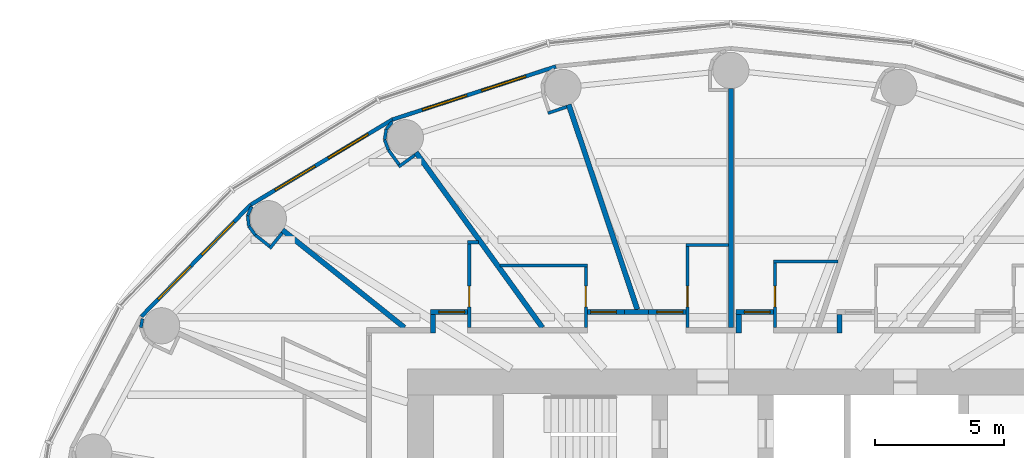
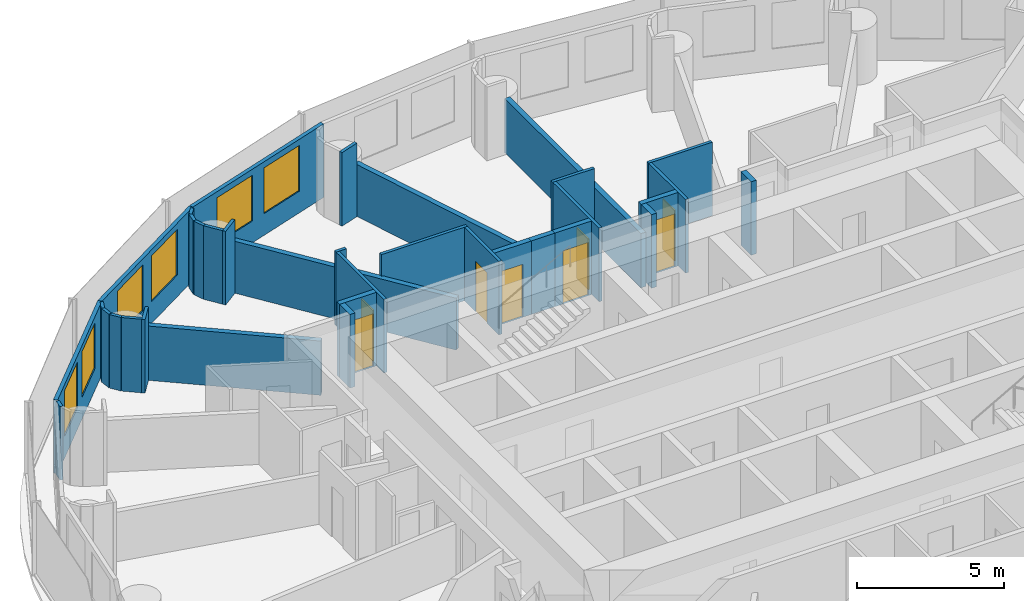
# One storey, part 11 of 14: 35 walls, 8 doors, 6 windows, 14 openings.
"""IFC4 building model written with IfcOpenShell, lengths in metres."""

from ifc_helpers import new_model, si_unit, direction, frame, frame_2d, origin, place, context, subcontext, project, spatial, rectangle, extrude, material, layer, layer_set, type_object, element, fill, save


model = new_model("IFC4")

# Units and contexts
model_context = context("Model", 3, precision=1e-05, world=origin(), true_north=direction((0.0, 1.0)))
body_context = subcontext(model_context, "Body", "Model", "MODEL_VIEW")
ifc_project = project(units=[si_unit("LENGTHUNIT", "METRE"), si_unit("AREAUNIT", "SQUARE_METRE"), si_unit("VOLUMEUNIT", "CUBIC_METRE"), si_unit("PLANEANGLEUNIT", "RADIAN"), si_unit("MASSUNIT", "GRAM", prefix="KILO")], contexts=[model_context])

# Site, building, storey
site_placement = place(None, origin())
site = spatial("IfcSite", under=ifc_project, at=site_placement, CompositionType="ELEMENT")
building_placement = place(site_placement, origin())
building = spatial("IfcBuilding", under=site, at=building_placement, Name="Hankou Lantern Tower", CompositionType="ELEMENT")
storey_placement = place(building_placement, frame((0.0, 0.0, 90.300048828125)))
storey = spatial("IfcBuildingStorey", under=building, at=storey_placement, Name="L23", CompositionType="ELEMENT", Elevation=90.300048828125)

# Wall, openings, windows
ifc_material_1 = material(Name="Aluminium spandrel panel on steel studs", Category="steel")
ifc_layer_1 = layer(ifc_material_1, 0.14990234375)
ifc_layer_set_1 = layer_set([ifc_layer_1], Name="Aluminium spandrel panel on steel studs")
wall_type_1 = type_object("IfcWallType", Name="EW1 INNER SKIN WALL 150", PredefinedType="ELEMENTEDWALL", material=ifc_layer_set_1)
wall_1_placement = place(storey_placement, frame((-6.766357421875, 20.201904296875, 0.0), z_axis=(0.0, 0.0, 1.0), x_axis=(-0.951137534625, -0.308767534285, 0.0)))
wall_1 = element("IfcWall", 1, at=wall_1_placement, inside=storey, type_object=wall_type_1, Name="Inner skin R08-R09 L23", PredefinedType="ELEMENTEDWALL", context=body_context, shape_type="SweptSolid", body=[
    extrude(rectangle(XDim=6.6552734375, YDim=0.14990234375, at=frame_2d((3.32763671875, 0.0))), origin(), (0.0, 0.0, 1.0), 3.050048828125),
])
opening_1_placement = place(wall_1_placement, frame((1.2275390625, 0.0, 0.89990234375)))
opening_1 = element("IfcOpeningElement", 2, at=opening_1_placement, cuts=wall_1, Name="Opening W1", PredefinedType="OPENING", context=body_context, shape_type="SweptSolid", body=[
    extrude(rectangle(XDim=1.800048828125, YDim=1.89990234375, at=frame_2d((0.89990234375, 0.949951171875))), frame((0.0, 0.0849609375, 0.0), z_axis=(0.0, -1.0, 0.0), x_axis=(1.0, 0.0, 0.0)), (0.0, 0.0, 1.0), 0.169921875),
])
opening_2_placement = place(wall_1_placement, frame((3.627685546875, 0.0, 0.89990234375)))
opening_2 = element("IfcOpeningElement", 3, at=opening_2_placement, cuts=wall_1, Name="Opening W1", PredefinedType="OPENING", context=body_context, shape_type="SweptSolid", body=[
    extrude(rectangle(XDim=1.800048828125, YDim=1.89990234375, at=frame_2d((0.89990234375, 0.949951171875))), frame((0.0, 0.0849609375, 0.0), z_axis=(0.0, -1.0, 0.0), x_axis=(1.0, 0.0, 0.0)), (0.0, 0.0, 1.0), 0.169921875),
])
ifc_material_2 = material(Name="Aluminium framed double glazed window", Category="aluminium")
window_type = type_object("IfcWindowType", Name="W1 GUEST ROOM WINDOW 1800X1900", PartitioningType="DOUBLE_PANEL_VERTICAL", PredefinedType="WINDOW", material=ifc_material_2)
window_1_placement = place(opening_1_placement, origin())
window_1 = element("IfcWindow", 4, at=window_1_placement, inside=storey, type_object=window_type, Name="Window R08.1 L23", OverallHeight=1.89990234375, OverallWidth=1.800048828125, PartitioningType="SINGLE_PANEL", PredefinedType="WINDOW", context=body_context, shape_type="SweptSolid", body=[
    extrude(rectangle(XDim=1.800048828125, YDim=1.89990234375, at=frame_2d((0.89990234375, 0.949951171875))), frame((0.0, 0.030029296875, 0.0), z_axis=(0.0, -1.0, 0.0), x_axis=(1.0, 0.0, 0.0)), (0.0, 0.0, 1.0), 0.06005859375),
])
fill(opening_1, window_1)
window_2_placement = place(opening_2_placement, origin())
window_2 = element("IfcWindow", 5, at=window_2_placement, inside=storey, type_object=window_type, Name="Window R08.2 L23", OverallHeight=1.89990234375, OverallWidth=1.800048828125, PartitioningType="SINGLE_PANEL", PredefinedType="WINDOW", context=body_context, shape_type="SweptSolid", body=[
    extrude(rectangle(XDim=1.800048828125, YDim=1.89990234375, at=frame_2d((0.89990234375, 0.949951171875))), frame((0.0, 0.030029296875, 0.0), z_axis=(0.0, -1.0, 0.0), x_axis=(1.0, 0.0, 0.0)), (0.0, 0.0, 1.0), 0.06005859375),
])
fill(opening_2, window_2)

wall_2_placement = place(storey_placement, frame((-13.096435546875, 18.14697265625, 0.0), z_axis=(0.0, 0.0, 1.0), x_axis=(-0.856983180864, -0.515344377787, 0.0)))
wall_2 = element("IfcWall", 6, at=wall_2_placement, inside=storey, type_object=wall_type_1, Name="Inner skin R09-R10 L23", PredefinedType="ELEMENTEDWALL", context=body_context, shape_type="SweptSolid", body=[
    extrude(rectangle(XDim=6.386474609375, YDim=0.14990234375, at=frame_2d((3.193359375, 0.0))), origin(), (0.0, 0.0, 1.0), 3.050048828125),
])
opening_3_placement = place(wall_2_placement, frame((1.09326171875, 0.0, 0.89990234375)))
opening_3 = element("IfcOpeningElement", 7, at=opening_3_placement, cuts=wall_2, Name="Opening W1", PredefinedType="OPENING", context=body_context, shape_type="SweptSolid", body=[
    extrude(rectangle(XDim=1.800048828125, YDim=1.89990234375, at=frame_2d((0.89990234375, 0.949951171875))), frame((0.0, 0.0849609375, 0.0), z_axis=(0.0, -1.0, 0.0), x_axis=(1.0, 0.0, 0.0)), (0.0, 0.0, 1.0), 0.169921875),
])
opening_4_placement = place(wall_2_placement, frame((3.4931640625, 0.0, 0.89990234375)))
opening_4 = element("IfcOpeningElement", 8, at=opening_4_placement, cuts=wall_2, Name="Opening W1", PredefinedType="OPENING", context=body_context, shape_type="SweptSolid", body=[
    extrude(rectangle(XDim=1.800048828125, YDim=1.89990234375, at=frame_2d((0.89990234375, 0.949951171875))), frame((0.0, 0.0849609375, 0.0), z_axis=(0.0, -1.0, 0.0), x_axis=(1.0, 0.0, 0.0)), (0.0, 0.0, 1.0), 0.169921875),
])
window_3_placement = place(opening_3_placement, origin())
window_3 = element("IfcWindow", 9, at=window_3_placement, inside=storey, type_object=window_type, Name="Window R09.1 L23", OverallHeight=1.89990234375, OverallWidth=1.800048828125, PartitioningType="SINGLE_PANEL", PredefinedType="WINDOW", context=body_context, shape_type="SweptSolid", body=[
    extrude(rectangle(XDim=1.800048828125, YDim=1.89990234375, at=frame_2d((0.89990234375, 0.949951171875))), frame((0.0, 0.030029296875, 0.0), z_axis=(0.0, -1.0, 0.0), x_axis=(1.0, 0.0, 0.0)), (0.0, 0.0, 1.0), 0.06005859375),
])
fill(opening_3, window_3)
window_4_placement = place(opening_4_placement, origin())
window_4 = element("IfcWindow", 10, at=window_4_placement, inside=storey, type_object=window_type, Name="Window R09.2 L23", OverallHeight=1.89990234375, OverallWidth=1.800048828125, PartitioningType="SINGLE_PANEL", PredefinedType="WINDOW", context=body_context, shape_type="SweptSolid", body=[
    extrude(rectangle(XDim=1.800048828125, YDim=1.89990234375, at=frame_2d((0.89990234375, 0.949951171875))), frame((0.0, 0.030029296875, 0.0), z_axis=(0.0, -1.0, 0.0), x_axis=(1.0, 0.0, 0.0)), (0.0, 0.0, 1.0), 0.06005859375),
])
fill(opening_4, window_4)

wall_3_placement = place(storey_placement, frame((-18.569580078125, 14.855712890625, 0.0), z_axis=(0.0, 0.0, 1.0), x_axis=(-0.699602905915, -0.714531856557, 0.0)))
wall_3 = element("IfcWall", 11, at=wall_3_placement, inside=storey, type_object=wall_type_1, Name="Inner skin R10-R11 L23", PredefinedType="ELEMENTEDWALL", context=body_context, shape_type="SweptSolid", body=[
    extrude(rectangle(XDim=6.05078125, YDim=0.14990234375, at=frame_2d((3.025390625, 0.0))), origin(), (0.0, 0.0, 1.0), 3.050048828125),
])
opening_5_placement = place(wall_3_placement, frame((0.925537109375, 0.0, 0.89990234375)))
opening_5 = element("IfcOpeningElement", 12, at=opening_5_placement, cuts=wall_3, Name="Opening W1", PredefinedType="OPENING", context=body_context, shape_type="SweptSolid", body=[
    extrude(rectangle(XDim=1.800048828125, YDim=1.89990234375, at=frame_2d((0.89990234375, 0.949951171875))), frame((0.0, 0.0849609375, 0.0), z_axis=(0.0, -1.0, 0.0), x_axis=(1.0, 0.0, 0.0)), (0.0, 0.0, 1.0), 0.169921875),
])
opening_6_placement = place(wall_3_placement, frame((3.325439453125, 0.0, 0.89990234375)))
opening_6 = element("IfcOpeningElement", 13, at=opening_6_placement, cuts=wall_3, Name="Opening W1", PredefinedType="OPENING", context=body_context, shape_type="SweptSolid", body=[
    extrude(rectangle(XDim=1.800048828125, YDim=1.89990234375, at=frame_2d((0.89990234375, 0.949951171875))), frame((0.0, 0.0849609375, 0.0), z_axis=(0.0, -1.0, 0.0), x_axis=(1.0, 0.0, 0.0)), (0.0, 0.0, 1.0), 0.169921875),
])
window_5_placement = place(opening_5_placement, origin())
window_5 = element("IfcWindow", 14, at=window_5_placement, inside=storey, type_object=window_type, Name="Window R10.1 L23", OverallHeight=1.89990234375, OverallWidth=1.800048828125, PartitioningType="SINGLE_PANEL", PredefinedType="WINDOW", context=body_context, shape_type="SweptSolid", body=[
    extrude(rectangle(XDim=1.800048828125, YDim=1.89990234375, at=frame_2d((0.89990234375, 0.949951171875))), frame((0.0, 0.030029296875, 0.0), z_axis=(0.0, -1.0, 0.0), x_axis=(1.0, 0.0, 0.0)), (0.0, 0.0, 1.0), 0.06005859375),
])
fill(opening_5, window_5)
window_6_placement = place(opening_6_placement, origin())
window_6 = element("IfcWindow", 15, at=window_6_placement, inside=storey, type_object=window_type, Name="Window R10.2 L23", OverallHeight=1.89990234375, OverallWidth=1.800048828125, PartitioningType="SINGLE_PANEL", PredefinedType="WINDOW", context=body_context, shape_type="SweptSolid", body=[
    extrude(rectangle(XDim=1.800048828125, YDim=1.89990234375, at=frame_2d((0.89990234375, 0.949951171875))), frame((0.0, 0.030029296875, 0.0), z_axis=(0.0, -1.0, 0.0), x_axis=(1.0, 0.0, 0.0)), (0.0, 0.0, 1.0), 0.06005859375),
])
fill(opening_6, window_6)

# Walls
ifc_material_3 = material(Name="Masonry lightweight concrete block", Category="masonry")
ifc_layer_2 = layer(ifc_material_3, 0.199951171875)
ifc_layer_set_2 = layer_set([ifc_layer_2], Name="Masonry lightweight concrete block")
wall_type_2 = type_object("IfcWallType", Name="IW1 GUEST ROOM PARTY WALL 200", PredefinedType="PARTITIONING", material=ifc_layer_set_2)
wall_4_placement = place(storey_placement, frame((0.0, 10.10009765625, 0.0), z_axis=(0.0, 0.0, 1.0), x_axis=(0.0, 1.0, 0.0)))
element("IfcWall", 16, at=wall_4_placement, inside=storey, type_object=wall_type_2, Name="Party wall R07", PredefinedType="PARTITIONING", context=body_context, shape_type="SweptSolid", body=[
    extrude(rectangle(XDim=9.25, YDim=0.199951171875, at=frame_2d((4.625, 0.0))), origin(), (0.0, 0.0, 1.0), 2.25),
])
wall_5_placement = place(storey_placement, frame((-3.617431640625, 10.800048828125, 0.0), z_axis=(0.0, 0.0, 1.0), x_axis=(-0.317576599239, 0.948232621046, 0.0)))
element("IfcWall", 17, at=wall_5_placement, inside=storey, type_object=wall_type_2, Name="Party wall R08", PredefinedType="PARTITIONING", context=body_context, shape_type="SweptSolid", body=[
    extrude(rectangle(XDim=8.3603515625, YDim=0.199951171875, at=frame_2d((4.18017578125, 0.0))), origin(), (0.0, 0.0, 1.0), 2.14990234375),
])
wall_6_placement = place(storey_placement, frame((-7.2890625, 10.10009765625, 0.0), z_axis=(0.0, 0.0, 1.0), x_axis=(-0.585198353053, 0.810890182197, 0.0)))
element("IfcWall", 18, at=wall_6_placement, inside=storey, type_object=wall_type_2, Name="Party wall R09", PredefinedType="PARTITIONING", context=body_context, shape_type="SweptSolid", body=[
    extrude(rectangle(XDim=8.359619140625, YDim=0.199951171875, at=frame_2d((4.1796875, 0.0))), origin(), (0.0, 0.0, 1.0), 2.14990234375),
])
wall_7_placement = place(storey_placement, frame((-12.625, 10.10009765625, 0.0), z_axis=(0.0, 0.0, 1.0), x_axis=(-0.780892451574, 0.624665493744, 0.0)))
element("IfcWall", 19, at=wall_7_placement, inside=storey, type_object=wall_type_2, Name="Party wall R10", PredefinedType="PARTITIONING", context=body_context, shape_type="SweptSolid", body=[
    extrude(rectangle(XDim=6.044677734375, YDim=0.199951171875, at=frame_2d((3.0224609375, 0.0))), origin(), (0.0, 0.0, 1.0), 2.25),
])
ifc_material_4 = material(Name="Masonry lightweight concrete block", Category="masonry")
ifc_layer_3 = layer(ifc_material_4, 0.199951171875)
ifc_layer_set_3 = layer_set([ifc_layer_3], Name="Masonry lightweight concrete block")
wall_type_3 = type_object("IfcWallType", Name="IW2 CORRIDOR WALL 200", PredefinedType="PARTITIONING", material=ifc_layer_set_3)
wall_8_placement = place(storey_placement, frame((4.208984375, 9.89990234375, 0.0), z_axis=(0.0, 0.0, 1.0), x_axis=(0.0, 1.0, 0.0)))
element("IfcWall", 20, at=wall_8_placement, inside=storey, type_object=wall_type_3, Name="Corridor recess wall 2311 side", PredefinedType="PARTITIONING", context=body_context, shape_type="SweptSolid", body=[
    extrude(rectangle(XDim=0.7001953125, YDim=0.199951171875, at=frame_2d((0.35009765625, 0.0))), origin(), (0.0, 0.0, 1.0), 3.050048828125),
])

# Wall, opening, door
wall_9_placement = place(storey_placement, frame((0.202880859375, 10.699951171875, 0.0), z_axis=(0.0, 0.0, 1.0), x_axis=(1.0, 0.0, 0.0)))
wall_9 = element("IfcWall", 21, at=wall_9_placement, inside=storey, type_object=wall_type_3, Name="Corridor recess wall 2312 back", PredefinedType="PARTITIONING", context=body_context, shape_type="SweptSolid", body=[
    extrude(rectangle(XDim=1.43994140625, YDim=0.199951171875, at=frame_2d((0.719970703125, 0.0))), origin(), (0.0, 0.0, 1.0), 3.050048828125),
])
opening_7_placement = place(wall_9_placement, frame((0.320068359375, 0.0, 0.0)))
opening_7 = element("IfcOpeningElement", 22, at=opening_7_placement, cuts=wall_9, Name="Opening D1", PredefinedType="OPENING", context=body_context, shape_type="SweptSolid", body=[
    extrude(rectangle(XDim=1.0, YDim=2.199951171875, at=frame_2d((0.5, 1.10009765625))), frame((0.0, 0.10986328125, 0.0), z_axis=(0.0, -1.0, 0.0), x_axis=(1.0, 0.0, 0.0)), (0.0, 0.0, 1.0), 0.219970703125),
])
ifc_material_5 = material(Name="Steel door leaf", Category="steel")
door_type_1 = type_object("IfcDoorType", Name="D1 GUEST ROOM DOOR 1000X2200", OperationType="SINGLE_SWING_LEFT", PredefinedType="DOOR", material=ifc_material_5)
door_1_placement = place(opening_7_placement, origin())
door_1 = element("IfcDoor", 23, at=door_1_placement, inside=storey, type_object=door_type_1, Name="Guest room door 2312", OperationType="SINGLE_SWING_RIGHT", OverallHeight=2.199951171875, OverallWidth=1.0, PredefinedType="DOOR", context=body_context, shape_type="SweptSolid", body=[
    extrude(rectangle(XDim=1.0, YDim=2.199951171875, at=frame_2d((0.5, 1.10009765625))), frame((0.0, 0.02490234375, 0.0), z_axis=(0.0, -1.0, 0.0), x_axis=(1.0, 0.0, 0.0)), (0.0, 0.0, 1.0), 0.050048828125),
])
fill(opening_7, door_1)

# Wall
wall_10_placement = place(storey_placement, frame((0.302978515625, 9.89990234375, 0.0), z_axis=(0.0, 0.0, 1.0), x_axis=(0.0, 1.0, 0.0)))
element("IfcWall", 24, at=wall_10_placement, inside=storey, type_object=wall_type_3, Name="Corridor recess wall 2312 side", PredefinedType="PARTITIONING", context=body_context, shape_type="SweptSolid", body=[
    extrude(rectangle(XDim=0.7001953125, YDim=0.199951171875, at=frame_2d((0.35009765625, 0.0))), origin(), (0.0, 0.0, 1.0), 3.050048828125),
])

# Wall, opening, door
wall_11_placement = place(storey_placement, frame((-3.179931640625, 10.699951171875, 0.0), z_axis=(0.0, 0.0, 1.0), x_axis=(1.0, 0.0, 0.0)))
wall_11 = element("IfcWall", 25, at=wall_11_placement, inside=storey, type_object=wall_type_3, Name="Corridor recess wall 2313 back", PredefinedType="PARTITIONING", context=body_context, shape_type="SweptSolid", body=[
    extrude(rectangle(XDim=1.43994140625, YDim=0.199951171875, at=frame_2d((0.719970703125, 0.0))), origin(), (0.0, 0.0, 1.0), 3.050048828125),
])
opening_8_placement = place(wall_11_placement, frame((0.320068359375, 0.0, 0.0)))
opening_8 = element("IfcOpeningElement", 26, at=opening_8_placement, cuts=wall_11, Name="Opening D1", PredefinedType="OPENING", context=body_context, shape_type="SweptSolid", body=[
    extrude(rectangle(XDim=1.0, YDim=2.199951171875, at=frame_2d((0.5, 1.10009765625))), frame((0.0, 0.10986328125, 0.0), z_axis=(0.0, -1.0, 0.0), x_axis=(1.0, 0.0, 0.0)), (0.0, 0.0, 1.0), 0.219970703125),
])
door_2_placement = place(opening_8_placement, origin())
door_2 = element("IfcDoor", 27, at=door_2_placement, inside=storey, type_object=door_type_1, Name="Guest room door 2313", OperationType="SINGLE_SWING_RIGHT", OverallHeight=2.199951171875, OverallWidth=1.0, PredefinedType="DOOR", context=body_context, shape_type="SweptSolid", body=[
    extrude(rectangle(XDim=1.0, YDim=2.199951171875, at=frame_2d((0.5, 1.10009765625))), frame((0.0, 0.02490234375, 0.0), z_axis=(0.0, -1.0, 0.0), x_axis=(1.0, 0.0, 0.0)), (0.0, 0.0, 1.0), 0.050048828125),
])
fill(opening_8, door_2)

wall_12_placement = place(storey_placement, frame((-5.549072265625, 10.699951171875, 0.0), z_axis=(0.0, 0.0, 1.0), x_axis=(1.0, 0.0, 0.0)))
wall_12 = element("IfcWall", 28, at=wall_12_placement, inside=storey, type_object=wall_type_3, Name="Corridor recess wall 2314 back", PredefinedType="PARTITIONING", context=body_context, shape_type="SweptSolid", body=[
    extrude(rectangle(XDim=1.43994140625, YDim=0.199951171875, at=frame_2d((0.719970703125, 0.0))), origin(), (0.0, 0.0, 1.0), 3.050048828125),
])
opening_9_placement = place(wall_12_placement, frame((0.1201171875, 0.0, 0.0)))
opening_9 = element("IfcOpeningElement", 29, at=opening_9_placement, cuts=wall_12, Name="Opening D1", PredefinedType="OPENING", context=body_context, shape_type="SweptSolid", body=[
    extrude(rectangle(XDim=1.0, YDim=2.199951171875, at=frame_2d((0.5, 1.10009765625))), frame((0.0, 0.10986328125, 0.0), z_axis=(0.0, -1.0, 0.0), x_axis=(1.0, 0.0, 0.0)), (0.0, 0.0, 1.0), 0.219970703125),
])
door_3_placement = place(opening_9_placement, origin())
door_3 = element("IfcDoor", 30, at=door_3_placement, inside=storey, type_object=door_type_1, Name="Guest room door 2314", OperationType="SINGLE_SWING_LEFT", OverallHeight=2.199951171875, OverallWidth=1.0, PredefinedType="DOOR", context=body_context, shape_type="SweptSolid", body=[
    extrude(rectangle(XDim=1.0, YDim=2.199951171875, at=frame_2d((0.5, 1.10009765625))), frame((0.0, 0.02490234375, 0.0), z_axis=(0.0, -1.0, 0.0), x_axis=(1.0, 0.0, 0.0)), (0.0, 0.0, 1.0), 0.050048828125),
])
fill(opening_9, door_3)

wall_13_placement = place(storey_placement, frame((-11.619140625, 10.699951171875, 0.0), z_axis=(0.0, 0.0, 1.0), x_axis=(1.0, 0.0, 0.0)))
wall_13 = element("IfcWall", 31, at=wall_13_placement, inside=storey, type_object=wall_type_3, Name="Corridor recess wall 2315 back", PredefinedType="PARTITIONING", context=body_context, shape_type="SweptSolid", body=[
    extrude(rectangle(XDim=1.440185546875, YDim=0.199951171875, at=frame_2d((0.72021484375, 0.0))), origin(), (0.0, 0.0, 1.0), 3.050048828125),
])
opening_10_placement = place(wall_13_placement, frame((0.320068359375, 0.0, 0.0)))
opening_10 = element("IfcOpeningElement", 32, at=opening_10_placement, cuts=wall_13, Name="Opening D1", PredefinedType="OPENING", context=body_context, shape_type="SweptSolid", body=[
    extrude(rectangle(XDim=1.0, YDim=2.199951171875, at=frame_2d((0.5, 1.10009765625))), frame((0.0, 0.10986328125, 0.0), z_axis=(0.0, -1.0, 0.0), x_axis=(1.0, 0.0, 0.0)), (0.0, 0.0, 1.0), 0.219970703125),
])
door_4_placement = place(opening_10_placement, origin())
door_4 = element("IfcDoor", 33, at=door_4_placement, inside=storey, type_object=door_type_1, Name="Guest room door 2315", OperationType="SINGLE_SWING_RIGHT", OverallHeight=2.199951171875, OverallWidth=1.0, PredefinedType="DOOR", context=body_context, shape_type="SweptSolid", body=[
    extrude(rectangle(XDim=1.0, YDim=2.199951171875, at=frame_2d((0.5, 1.10009765625))), frame((0.0, 0.02490234375, 0.0), z_axis=(0.0, -1.0, 0.0), x_axis=(1.0, 0.0, 0.0)), (0.0, 0.0, 1.0), 0.050048828125),
])
fill(opening_10, door_4)

# Walls
wall_14_placement = place(storey_placement, frame((-11.51904296875, 9.89990234375, 0.0), z_axis=(0.0, 0.0, 1.0), x_axis=(0.0, 1.0, 0.0)))
element("IfcWall", 34, at=wall_14_placement, inside=storey, type_object=wall_type_3, Name="Corridor recess wall 2315 side", PredefinedType="PARTITIONING", context=body_context, shape_type="SweptSolid", body=[
    extrude(rectangle(XDim=0.7001953125, YDim=0.199951171875, at=frame_2d((0.35009765625, 0.0))), origin(), (0.0, 0.0, 1.0), 3.050048828125),
])
wall_15_placement = place(storey_placement, frame((-4.109130859375, 10.699951171875, 0.0), z_axis=(0.0, 0.0, 1.0), x_axis=(1.0, 0.0, 0.0)))
element("IfcWall", 35, at=wall_15_placement, inside=storey, type_object=wall_type_3, Name="Corridor recess wall 2314 and 2313 back", PredefinedType="PARTITIONING", context=body_context, shape_type="SweptSolid", body=[
    extrude(rectangle(XDim=0.92919921875, YDim=0.199951171875, at=frame_2d((0.464599609375, 0.0))), origin(), (0.0, 0.0, 1.0), 3.050048828125),
])
ifc_material_6 = material(Name="Masonry lightweight concrete block", Category="masonry")
ifc_layer_4 = layer(ifc_material_6, 0.1201171875)
ifc_layer_set_4 = layer_set([ifc_layer_4], Name="Masonry lightweight concrete block")
wall_type_4 = type_object("IfcWallType", Name="IW3 BATHROOM WALL 120", PredefinedType="PARTITIONING", material=ifc_layer_set_4)
wall_16_placement = place(storey_placement, frame((4.136962890625, 12.64990234375, 0.0), z_axis=(0.0, 0.0, 1.0), x_axis=(-1.0, 0.0, 0.0)))
element("IfcWall", 36, at=wall_16_placement, inside=storey, type_object=wall_type_4, Name="Box wall 2312 1", PredefinedType="PARTITIONING", context=body_context, shape_type="SweptSolid", body=[
    extrude(rectangle(XDim=2.494140625, YDim=0.1201171875, at=frame_2d((1.2470703125, 0.0))), origin(), (0.0, 0.0, 1.0), 3.050048828125),
])

# Wall, opening, door
wall_17_placement = place(storey_placement, frame((1.702880859375, 10.10009765625, 0.0), z_axis=(0.0, 0.0, 1.0), x_axis=(0.0, 1.0, 0.0)))
wall_17 = element("IfcWall", 37, at=wall_17_placement, inside=storey, type_object=wall_type_4, Name="Box wall 2312 1", PredefinedType="PARTITIONING", context=body_context, shape_type="SweptSolid", body=[
    extrude(rectangle(XDim=2.489990234375, YDim=0.1201171875, at=frame_2d((1.2451171875, 0.0))), origin(), (0.0, 0.0, 1.0), 3.050048828125),
])
opening_11_placement = place(wall_17_placement, frame((0.800048828125, 0.0, 0.0)))
opening_11 = element("IfcOpeningElement", 38, at=opening_11_placement, cuts=wall_17, Name="Opening D3", PredefinedType="OPENING", context=body_context, shape_type="SweptSolid", body=[
    extrude(rectangle(XDim=0.800048828125, YDim=2.10009765625, at=frame_2d((0.39990234375, 1.050048828125))), frame((0.0, 0.070068359375, 0.0), z_axis=(0.0, -1.0, 0.0), x_axis=(1.0, 0.0, 0.0)), (0.0, 0.0, 1.0), 0.14013671875),
])
ifc_material_7 = material(Name="Timber door leaf", Category="wood")
door_type_2 = type_object("IfcDoorType", Name="D3 BATHROOM DOOR 800X2100", OperationType="SINGLE_SWING_LEFT", PredefinedType="DOOR", material=ifc_material_7)
door_5_placement = place(opening_11_placement, origin())
door_5 = element("IfcDoor", 39, at=door_5_placement, inside=storey, type_object=door_type_2, Name="En-suite bathroom 2312 door", OperationType="SINGLE_SWING_LEFT", OverallHeight=2.10009765625, OverallWidth=0.800048828125, PredefinedType="DOOR", context=body_context, shape_type="SweptSolid", body=[
    extrude(rectangle(XDim=0.800048828125, YDim=2.10009765625, at=frame_2d((0.39990234375, 1.050048828125))), frame((0.0, 0.02490234375, 0.0), z_axis=(0.0, -1.0, 0.0), x_axis=(1.0, 0.0, 0.0)), (0.0, 0.0, 1.0), 0.050048828125),
])
fill(opening_11, door_5)

# Wall
wall_18_placement = place(storey_placement, frame((-0.10009765625, 13.300048828125, 0.0), z_axis=(0.0, 0.0, 1.0), x_axis=(-1.0, 0.0, 0.0)))
element("IfcWall", 40, at=wall_18_placement, inside=storey, type_object=wall_type_4, Name="Box wall 2313 1", PredefinedType="PARTITIONING", context=body_context, shape_type="SweptSolid", body=[
    extrude(rectangle(XDim=1.639892578125, YDim=0.1201171875, at=frame_2d((0.81982421875, 0.0))), origin(), (0.0, 0.0, 1.0), 3.050048828125),
])

# Wall, opening, door
wall_19_placement = place(storey_placement, frame((-1.679931640625, 10.10009765625, 0.0), z_axis=(0.0, 0.0, 1.0), x_axis=(0.0, 1.0, 0.0)))
wall_19 = element("IfcWall", 41, at=wall_19_placement, inside=storey, type_object=wall_type_4, Name="Box wall 2313 1", PredefinedType="PARTITIONING", context=body_context, shape_type="SweptSolid", body=[
    extrude(rectangle(XDim=3.139892578125, YDim=0.1201171875, at=frame_2d((1.56982421875, 0.0))), origin(), (0.0, 0.0, 1.0), 3.050048828125),
])
opening_12_placement = place(wall_19_placement, frame((0.800048828125, 0.0, 0.0)))
opening_12 = element("IfcOpeningElement", 42, at=opening_12_placement, cuts=wall_19, Name="Opening D3", PredefinedType="OPENING", context=body_context, shape_type="SweptSolid", body=[
    extrude(rectangle(XDim=0.800048828125, YDim=2.10009765625, at=frame_2d((0.39990234375, 1.050048828125))), frame((0.0, 0.070068359375, 0.0), z_axis=(0.0, -1.0, 0.0), x_axis=(1.0, 0.0, 0.0)), (0.0, 0.0, 1.0), 0.14013671875),
])
door_6_placement = place(opening_12_placement, origin())
door_6 = element("IfcDoor", 43, at=door_6_placement, inside=storey, type_object=door_type_2, Name="En-suite bathroom 2313 door", OperationType="SINGLE_SWING_LEFT", OverallHeight=2.10009765625, OverallWidth=0.800048828125, PredefinedType="DOOR", context=body_context, shape_type="SweptSolid", body=[
    extrude(rectangle(XDim=0.800048828125, YDim=2.10009765625, at=frame_2d((0.39990234375, 1.050048828125))), frame((0.0, 0.02490234375, 0.0), z_axis=(0.0, -1.0, 0.0), x_axis=(1.0, 0.0, 0.0)), (0.0, 0.0, 1.0), 0.050048828125),
])
fill(opening_12, door_6)

# Wall
wall_20_placement = place(storey_placement, frame((-8.921142578125, 12.5, 0.0), z_axis=(0.0, 0.0, 1.0), x_axis=(1.0, 0.0, 0.0)))
element("IfcWall", 44, at=wall_20_placement, inside=storey, type_object=wall_type_4, Name="Box wall 2314 1", PredefinedType="PARTITIONING", context=body_context, shape_type="SweptSolid", body=[
    extrude(rectangle(XDim=3.3720703125, YDim=0.1201171875, at=frame_2d((1.68603515625, 0.0))), origin(), (0.0, 0.0, 1.0), 3.050048828125),
])

# Wall, opening, door
wall_21_placement = place(storey_placement, frame((-5.609130859375, 10.10009765625, 0.0), z_axis=(0.0, 0.0, 1.0), x_axis=(0.0, 1.0, 0.0)))
wall_21 = element("IfcWall", 45, at=wall_21_placement, inside=storey, type_object=wall_type_4, Name="Box wall 2314 1", PredefinedType="PARTITIONING", context=body_context, shape_type="SweptSolid", body=[
    extrude(rectangle(XDim=2.33984375, YDim=0.1201171875, at=frame_2d((1.169921875, 0.0))), origin(), (0.0, 0.0, 1.0), 3.050048828125),
])
opening_13_placement = place(wall_21_placement, frame((0.800048828125, 0.0, 0.0)))
opening_13 = element("IfcOpeningElement", 46, at=opening_13_placement, cuts=wall_21, Name="Opening D3", PredefinedType="OPENING", context=body_context, shape_type="SweptSolid", body=[
    extrude(rectangle(XDim=0.800048828125, YDim=2.10009765625, at=frame_2d((0.39990234375, 1.050048828125))), frame((0.0, 0.070068359375, 0.0), z_axis=(0.0, -1.0, 0.0), x_axis=(1.0, 0.0, 0.0)), (0.0, 0.0, 1.0), 0.14013671875),
])
door_7_placement = place(opening_13_placement, origin())
door_7 = element("IfcDoor", 47, at=door_7_placement, inside=storey, type_object=door_type_2, Name="En-suite bathroom 2314 door", OperationType="SINGLE_SWING_RIGHT", OverallHeight=2.10009765625, OverallWidth=0.800048828125, PredefinedType="DOOR", context=body_context, shape_type="SweptSolid", body=[
    extrude(rectangle(XDim=0.800048828125, YDim=2.10009765625, at=frame_2d((0.39990234375, 1.050048828125))), frame((0.0, 0.02490234375, 0.0), z_axis=(0.0, -1.0, 0.0), x_axis=(1.0, 0.0, 0.0)), (0.0, 0.0, 1.0), 0.050048828125),
])
fill(opening_13, door_7)

# Wall
wall_22_placement = place(storey_placement, frame((-9.7705078125, 13.39990234375, 0.0), z_axis=(0.0, 0.0, 1.0), x_axis=(-1.0, 0.0, 0.0)))
element("IfcWall", 48, at=wall_22_placement, inside=storey, type_object=wall_type_4, Name="Box wall 2315 1", PredefinedType="PARTITIONING", context=body_context, shape_type="SweptSolid", body=[
    extrude(rectangle(XDim=0.408447265625, YDim=0.1201171875, at=frame_2d((0.2041015625, 0.0))), origin(), (0.0, 0.0, 1.0), 3.050048828125),
])

# Wall, opening, door
wall_23_placement = place(storey_placement, frame((-10.119140625, 10.10009765625, 0.0), z_axis=(0.0, 0.0, 1.0), x_axis=(0.0, 1.0, 0.0)))
wall_23 = element("IfcWall", 49, at=wall_23_placement, inside=storey, type_object=wall_type_4, Name="Box wall 2315 1", PredefinedType="PARTITIONING", context=body_context, shape_type="SweptSolid", body=[
    extrude(rectangle(XDim=3.239990234375, YDim=0.1201171875, at=frame_2d((1.6201171875, 0.0))), origin(), (0.0, 0.0, 1.0), 3.050048828125),
])
opening_14_placement = place(wall_23_placement, frame((0.800048828125, 0.0, 0.0)))
opening_14 = element("IfcOpeningElement", 50, at=opening_14_placement, cuts=wall_23, Name="Opening D3", PredefinedType="OPENING", context=body_context, shape_type="SweptSolid", body=[
    extrude(rectangle(XDim=0.800048828125, YDim=2.10009765625, at=frame_2d((0.39990234375, 1.050048828125))), frame((0.0, 0.070068359375, 0.0), z_axis=(0.0, -1.0, 0.0), x_axis=(1.0, 0.0, 0.0)), (0.0, 0.0, 1.0), 0.14013671875),
])
door_8_placement = place(opening_14_placement, origin())
door_8 = element("IfcDoor", 51, at=door_8_placement, inside=storey, type_object=door_type_2, Name="En-suite bathroom 2315 door", OperationType="SINGLE_SWING_LEFT", OverallHeight=2.10009765625, OverallWidth=0.800048828125, PredefinedType="DOOR", context=body_context, shape_type="SweptSolid", body=[
    extrude(rectangle(XDim=0.800048828125, YDim=2.10009765625, at=frame_2d((0.39990234375, 1.050048828125))), frame((0.0, 0.02490234375, 0.0), z_axis=(0.0, -1.0, 0.0), x_axis=(1.0, 0.0, 0.0)), (0.0, 0.0, 1.0), 0.050048828125),
])
fill(opening_14, door_8)

# Walls
ifc_material_8 = material(Name="Masonry lightweight concrete block", Category="masonry")
ifc_layer_5 = layer(ifc_material_8, 0.1201171875)
ifc_layer_set_5 = layer_set([ifc_layer_5], Name="Masonry lightweight concrete block")
wall_type_5 = type_object("IfcWallType", Name="IW4 PARTITION 120", PredefinedType="PARTITIONING", material=ifc_layer_set_5)
for number, where, z_axis, x_axis, name in (
    (52, (-6.348388671875, 18.638916015625, 0.0), (0.0, 0.0, 1.0), (-0.948268951266, -0.317468102437, 0.0), "Column casing R08 return"),
    (53, (-12.227294921875, 16.771728515625, 0.0), (0.0, 0.0, 1.0), (-0.810821798253, -0.585293098778, 0.0), "Column casing R09 return"),
):
    element("IfcWall", number, at=place(storey_placement, frame(where, z_axis=z_axis, x_axis=x_axis)), inside=storey, type_object=wall_type_5, Name=name, PredefinedType="PARTITIONING", context=body_context, shape_type="SweptSolid", body=[
        extrude(rectangle(XDim=0.767578125, YDim=0.1201171875, at=frame_2d((0.3837890625, 0.0))), origin(), (0.0, 0.0, 1.0), 3.050048828125),
    ])
wall_24_placement = place(storey_placement, frame((-12.8359375, 16.40625, 0.0), z_axis=(0.0, 0.0, 1.0), x_axis=(-0.585223113993, 0.810872312296, 0.0)))
element("IfcWall", 54, at=wall_24_placement, inside=storey, type_object=wall_type_5, Name="Column casing R09", PredefinedType="PARTITIONING", context=body_context, shape_type="SweptSolid", body=[
    extrude(rectangle(XDim=0.699951171875, YDim=0.1201171875, at=frame_2d((0.35009765625, 0.0))), origin(), (0.0, 0.0, 1.0), 3.050048828125),
])
wall_25_placement = place(storey_placement, frame((-13.24560546875, 16.973876953125, 0.0), z_axis=(0.0, 0.0, 1.0), x_axis=(-0.355728122235, 0.934589483705, 0.0)))
element("IfcWall", 55, at=wall_25_placement, inside=storey, type_object=wall_type_5, Name="Column casing R09", PredefinedType="PARTITIONING", context=body_context, shape_type="SweptSolid", body=[
    extrude(rectangle(XDim=0.41796875, YDim=0.1201171875, at=frame_2d((0.208984375, 0.0))), origin(), (0.0, 0.0, 1.0), 3.050048828125),
])
wall_26_placement = place(storey_placement, frame((-13.394287109375, 17.364501953125, 0.0), z_axis=(0.0, 0.0, 1.0), x_axis=(0.159379276926, 0.987217425943, 0.0)))
element("IfcWall", 56, at=wall_26_placement, inside=storey, type_object=wall_type_5, Name="Column casing R09", PredefinedType="PARTITIONING", context=body_context, shape_type="SweptSolid", body=[
    extrude(rectangle(XDim=0.418212890625, YDim=0.1201171875, at=frame_2d((0.208984375, 0.0))), origin(), (0.0, 0.0, 1.0), 3.050048828125),
])
wall_27_placement = place(storey_placement, frame((-13.32763671875, 17.77734375, 0.0), z_axis=(0.0, 0.0, 1.0), x_axis=(0.632276783541, 0.774742582407, 0.0)))
element("IfcWall", 57, at=wall_27_placement, inside=storey, type_object=wall_type_5, Name="Column casing R09", PredefinedType="PARTITIONING", context=body_context, shape_type="SweptSolid", body=[
    extrude(rectangle(XDim=0.35986328125, YDim=0.1201171875, at=frame_2d((0.179931640625, 0.0))), origin(), (0.0, 0.0, 1.0), 3.050048828125),
])
wall_28_placement = place(storey_placement, frame((-17.36083984375, 13.760498046875, 0.0), z_axis=(0.0, 0.0, 1.0), x_axis=(-0.624501042889, -0.781023973659, 0.0)))
element("IfcWall", 58, at=wall_28_placement, inside=storey, type_object=wall_type_5, Name="Column casing R10 return", PredefinedType="PARTITIONING", context=body_context, shape_type="SweptSolid", body=[
    extrude(rectangle(XDim=0.767333984375, YDim=0.1201171875, at=frame_2d((0.3837890625, 0.0))), origin(), (0.0, 0.0, 1.0), 3.050048828125),
])
wall_29_placement = place(storey_placement, frame((-17.849609375, 13.24560546875, 0.0), z_axis=(0.0, 0.0, 1.0), x_axis=(-0.780902834923, 0.62465251333, 0.0)))
element("IfcWall", 59, at=wall_29_placement, inside=storey, type_object=wall_type_5, Name="Column casing R10", PredefinedType="PARTITIONING", context=body_context, shape_type="SweptSolid", body=[
    extrude(rectangle(XDim=0.699951171875, YDim=0.1201171875, at=frame_2d((0.35009765625, 0.0))), origin(), (0.0, 0.0, 1.0), 3.050048828125),
])
for number, where, z_axis, x_axis, name in (
    (60, (-18.396240234375, 13.682861328125, 0.0), (0.0, 0.0, 1.0), (-0.592401603461, 0.805642811807, 0.0), "Column casing R10"),
    (61, (-18.643798828125, 14.01953125, 0.0), (0.0, 0.0, 1.0), (-0.110367433259, 0.993890854006, 0.0), "Column casing R10"),
):
    element("IfcWall", number, at=place(storey_placement, frame(where, z_axis=z_axis, x_axis=x_axis)), inside=storey, type_object=wall_type_5, Name=name, PredefinedType="PARTITIONING", context=body_context, shape_type="SweptSolid", body=[
        extrude(rectangle(XDim=0.41796875, YDim=0.1201171875, at=frame_2d((0.208984375, 0.0))), origin(), (0.0, 0.0, 1.0), 3.050048828125),
    ])
wall_30_placement = place(storey_placement, frame((-18.68994140625, 14.43505859375, 0.0), z_axis=(0.0, 0.0, 1.0), x_axis=(0.401093412634, 0.91603715773, 0.0)))
element("IfcWall", 62, at=wall_30_placement, inside=storey, type_object=wall_type_5, Name="Column casing R10", PredefinedType="PARTITIONING", context=body_context, shape_type="SweptSolid", body=[
    extrude(rectangle(XDim=0.373046875, YDim=0.1201171875, at=frame_2d((0.1865234375, 0.0))), origin(), (0.0, 0.0, 1.0), 3.050048828125),
])
wall_31_placement = place(storey_placement, frame((-22.8232421875, 10.096923828125, 0.0), z_axis=(0.0, 0.0, 1.0), x_axis=(0.169674995186, 0.985500074079, 0.0)))
element("IfcWall", 63, at=wall_31_placement, inside=storey, type_object=wall_type_5, Name="Column casing R11", PredefinedType="PARTITIONING", context=body_context, shape_type="SweptSolid", body=[
    extrude(rectangle(XDim=0.3525390625, YDim=0.1201171875, at=frame_2d((0.17626953125, 0.0))), origin(), (0.0, 0.0, 1.0), 3.050048828125),
])

save(model, "model.ifc")
